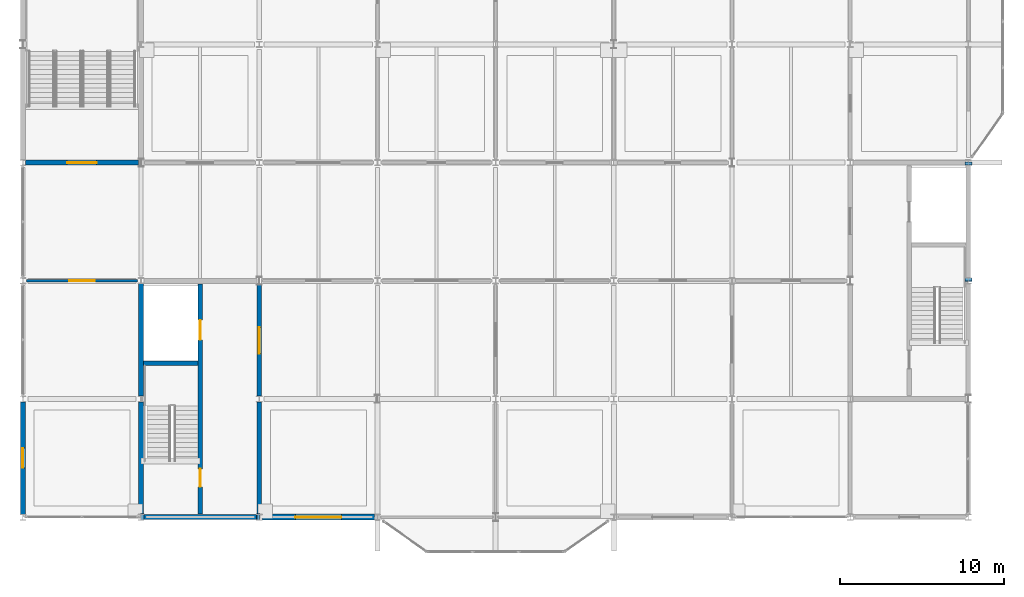
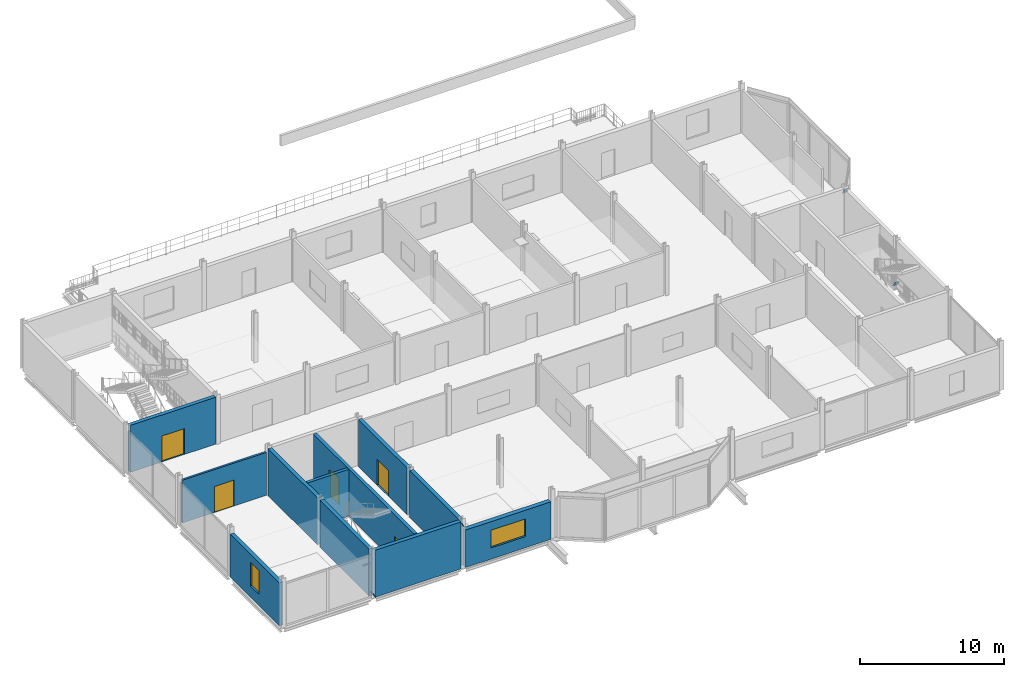
# One storey, part 18 of 26: 11 walls, 5 doors, 4 plates, 2 windows, 7 openings.
"""IFC4 building model written with IfcOpenShell, lengths in metres."""

from ifc_helpers import new_model, si_unit, direction, frame, frame_2d, origin, origin_2d, place, context, subcontext, project, spatial, rectangle, extrude, material, layer, layer_set, type_object, element, fill, save


model = new_model("IFC4")

# Units and contexts
model_context = context("Model", 3, precision=1e-05, world=origin(), true_north=direction((0.0, 1.0)))
body_context = subcontext(model_context, "Body", "Model", "MODEL_VIEW")
ifc_project = project(units=[si_unit("LENGTHUNIT", "METRE"), si_unit("AREAUNIT", "SQUARE_METRE"), si_unit("VOLUMEUNIT", "CUBIC_METRE"), si_unit("PLANEANGLEUNIT", "RADIAN"), si_unit("MASSUNIT", "GRAM", prefix="KILO")], contexts=[model_context])

# Site, building, storey
site_placement = place(None, origin())
site = spatial("IfcSite", under=ifc_project, at=site_placement, CompositionType="ELEMENT")
building_placement = place(site_placement, origin())
building = spatial("IfcBuilding", under=site, at=building_placement, Name="Vesperath Aquatics Centre", CompositionType="ELEMENT")
storey_placement = place(building_placement, frame((0.0, 0.0, 19.199951171875)))
storey = spatial("IfcBuildingStorey", under=building, at=storey_placement, Name="L04", CompositionType="ELEMENT", Elevation=19.199951171875)

# Plates
ifc_material_1 = material(Name="Steel Q355D", Category="steel")
ifc_layer_1 = layer(ifc_material_1, 0.02392578125)
ifc_layer_set_1 = layer_set([ifc_layer_1], Name="Steel Q355D")
plate_type = type_object("IfcPlateType", Name="PT-TN04", PredefinedType="SHEET", material=ifc_layer_set_1)
for number, where, z_axis, x_axis, name in (
    (1, (122.4501953125, 0.0, 0.175048828125), (0.8944271912, 0.0, 0.4472135951), (0.0, 1.0, 0.0), "Truss Node Cap Plate TN04"),
    (2, (129.5283203125, 0.0, 3.71435546875), (0.8944271912, 0.0, 0.4472135951), (0.0, 1.0, 0.0), "Truss Node Cap Plate TN04"),
    (3, (172.800048828125, 14.4501953125, 0.175048828125), (0.0, 0.8944271912, 0.4472135951), (-1.0, 0.0, 0.0), "Truss Node Cap Plate TN04"),
    (4, (172.800048828125, 21.5283203125, 3.71435546875), (0.0, 0.8944271912, 0.4472135951), (-1.0, 0.0, 0.0), "Truss Node Cap Plate TN04"),
):
    element("IfcPlate", number, at=place(storey_placement, frame(where, z_axis=z_axis, x_axis=x_axis)), inside=storey, type_object=plate_type, Name=name, PredefinedType="SHEET", context=body_context, shape_type="SweptSolid", body=[
        extrude(rectangle(XDim=0.419921875, YDim=0.419921875, at=origin_2d()), origin(), (0.0, 0.0, 1.0), 0.02392578125),
    ])

# Wall, opening, window
ifc_material_2 = material(Name="Glazed majolica and brick insulated cavity wall", Category="masonry")
ifc_layer_2 = layer(ifc_material_2, 0.360107421875)
ifc_layer_set_2 = layer_set([ifc_layer_2], Name="Glazed majolica and brick insulated cavity wall")
wall_type_1 = type_object("IfcWallType", Name="WL-EW03", PredefinedType="SOLIDWALL", material=ifc_layer_set_2)
wall_1_placement = place(storey_placement, frame((129.77490234375, 0.0, 0.0), z_axis=(0.0, 0.0, 1.0), x_axis=(1.0, 0.0, 0.0)))
wall_1 = element("IfcWall", 5, at=wall_1_placement, inside=storey, type_object=wall_type_1, Name="Exterior Wall EW03 L04_S_18_00", PredefinedType="SOLIDWALL", context=body_context, shape_type="SweptSolid", body=[
    extrude(rectangle(XDim=6.85009765625, YDim=0.360107421875, at=frame_2d((3.425048828125, 0.0))), origin(), (0.0, 0.0, 1.0), 3.179931640625),
])
opening_1_placement = place(wall_1_placement, frame((2.02490234375, 0.0, 0.949951171875)))
opening_1 = element("IfcOpeningElement", 6, at=opening_1_placement, cuts=wall_1, Name="Opening W15", PredefinedType="OPENING", context=body_context, shape_type="SweptSolid", body=[
    extrude(rectangle(XDim=2.800048828125, YDim=1.5, at=frame_2d((1.39990234375, 0.75))), frame((0.0, 0.19482421875, 0.0), z_axis=(0.0, -1.0, 0.0), x_axis=(1.0, 0.0, 0.0)), (0.0, 0.0, 1.0), 0.389892578125),
])
ifc_material_3 = material(Name="Thermally broken aluminium triple-glazed window", Category="aluminium")
window_type_1 = type_object("IfcWindowType", Name="WN-W15", PartitioningType="SINGLE_PANEL", PredefinedType="WINDOW", material=ifc_material_3)
window_1_placement = place(opening_1_placement, origin())
window_1 = element("IfcWindow", 7, at=window_1_placement, inside=storey, type_object=window_type_1, Name="Deep-Reveal Casement Window W15 L04_S_18_00", OverallHeight=1.5, OverallWidth=2.800048828125, PartitioningType="SINGLE_PANEL", PredefinedType="WINDOW", context=body_context, shape_type="SweptSolid", body=[
    extrude(rectangle(XDim=2.800048828125, YDim=1.5, at=frame_2d((1.39990234375, 0.75))), frame((0.0, 0.030029296875, 0.0), z_axis=(0.0, -1.0, 0.0), x_axis=(1.0, 0.0, 0.0)), (0.0, 0.0, 1.0), 0.06005859375),
])
fill(opening_1, window_1)

ifc_material_4 = material(Name="Terrace pavilion insulated masonry wall", Category="masonry")
ifc_layer_3 = layer(ifc_material_4, 0.31005859375)
ifc_layer_set_3 = layer_set([ifc_layer_3], Name="Terrace pavilion insulated masonry wall")
wall_type_2 = type_object("IfcWallType", Name="WL-EW05", PredefinedType="SOLIDWALL", material=ifc_layer_set_3)
wall_2_placement = place(storey_placement, frame((115.199951171875, 0.175048828125, 0.0), z_axis=(0.0, 0.0, 1.0), x_axis=(0.0, 1.0, 0.0)))
wall_2 = element("IfcWall", 8, at=wall_2_placement, inside=storey, type_object=wall_type_2, Name="Exterior Wall EW05 L04_W_16_00", PredefinedType="SOLIDWALL", context=body_context, shape_type="SweptSolid", body=[
    extrude(rectangle(XDim=6.849853515625, YDim=0.31005859375, at=frame_2d((3.4248046875, 0.0))), origin(), (0.0, 0.0, 1.0), 3.64013671875),
])
opening_2_placement = place(wall_2_placement, frame((2.824951171875, 0.0, 0.949951171875)))
opening_2 = element("IfcOpeningElement", 9, at=opening_2_placement, cuts=wall_2, Name="Opening W09", PredefinedType="OPENING", context=body_context, shape_type="SweptSolid", body=[
    extrude(rectangle(XDim=1.199951171875, YDim=2.0, at=frame_2d((0.60009765625, 1.0))), frame((0.0, 0.169921875, 0.0), z_axis=(0.0, -1.0, 0.0), x_axis=(1.0, 0.0, 0.0)), (0.0, 0.0, 1.0), 0.33984375),
])
window_type_2 = type_object("IfcWindowType", Name="WN-W09", PartitioningType="SINGLE_PANEL", PredefinedType="WINDOW", material=ifc_material_3)
window_2_placement = place(opening_2_placement, origin())
window_2 = element("IfcWindow", 10, at=window_2_placement, inside=storey, type_object=window_type_2, Name="Deep-Reveal Casement Window W09 L04_W_16_00", OverallHeight=2.0, OverallWidth=1.199951171875, PartitioningType="SINGLE_PANEL", PredefinedType="WINDOW", context=body_context, shape_type="SweptSolid", body=[
    extrude(rectangle(XDim=1.199951171875, YDim=2.0, at=frame_2d((0.60009765625, 1.0))), frame((0.0, 0.030029296875, 0.0), z_axis=(0.0, -1.0, 0.0), x_axis=(1.0, 0.0, 0.0)), (0.0, 0.0, 1.0), 0.06005859375),
])
fill(opening_2, window_2)

# Wall, opening, door
ifc_material_5 = material(Name="Clinic acoustic partition", Category="gypsum")
ifc_layer_4 = layer(ifc_material_5, 0.159912109375)
ifc_layer_set_4 = layer_set([ifc_layer_4], Name="Clinic acoustic partition")
wall_type_3 = type_object("IfcWallType", Name="WL-IW04", PredefinedType="PARTITIONING", material=ifc_layer_set_4)
wall_3_placement = place(storey_placement, frame((115.425048828125, 14.39990234375, 0.0), z_axis=(0.0, 0.0, 1.0), x_axis=(1.0, 0.0, 0.0)))
wall_3 = element("IfcWall", 11, at=wall_3_placement, inside=storey, type_object=wall_type_3, Name="Interior Partition IW04 L04_SPA_REC-N1", PredefinedType="PARTITIONING", context=body_context, shape_type="SweptSolid", body=[
    extrude(rectangle(XDim=6.75, YDim=0.159912109375, at=frame_2d((3.375, 0.0))), origin(), (0.0, 0.0, 1.0), 3.64013671875),
])
opening_3_placement = place(wall_3_placement, frame((2.60009765625, 0.0, 0.0)))
opening_3 = element("IfcOpeningElement", 12, at=opening_3_placement, cuts=wall_3, Name="Opening D17", PredefinedType="OPENING", context=body_context, shape_type="SweptSolid", body=[
    extrude(rectangle(XDim=1.550048828125, YDim=2.199951171875, at=frame_2d((0.77490234375, 1.10009765625))), frame((0.0, 0.0947265625, 0.0), z_axis=(0.0, -1.0, 0.0), x_axis=(1.0, 0.0, 0.0)), (0.0, 0.0, 1.0), 0.189697265625),
])
ifc_material_6 = material(Name="Cafe dining glazed double door", Category="aluminium")
door_type_1 = type_object("IfcDoorType", Name="DR-RM09", OperationType="DOUBLE_SWING_LEFT", PredefinedType="DOOR", material=ifc_material_6)
door_1_placement = place(opening_3_placement, frame((1.550048828125, 0.0, 0.0), z_axis=(0.0, 0.0, 1.0), x_axis=(-1.0, 0.0, 0.0)))
door_1 = element("IfcDoor", 13, at=door_1_placement, inside=storey, type_object=door_type_1, Name="Hydro-Recovery Spa Lounge Door D17", OperationType="DOUBLE_SWING_LEFT", OverallHeight=2.199951171875, OverallWidth=1.550048828125, PredefinedType="DOOR", context=body_context, shape_type="SweptSolid", body=[
    extrude(rectangle(XDim=1.550048828125, YDim=2.199951171875, at=frame_2d((0.77490234375, 1.10009765625))), frame((0.0, 0.02490234375, 0.0), z_axis=(0.0, -1.0, 0.0), x_axis=(1.0, 0.0, 0.0)), (0.0, 0.0, 1.0), 0.050048828125),
])
fill(opening_3, door_1)

# Walls
ifc_material_7 = material(Name="Concrete C40", Category="concrete")
ifc_layer_5 = layer(ifc_material_7, 0.300048828125)
ifc_layer_set_5 = layer_set([ifc_layer_5], Name="Concrete C40")
wall_type_4 = type_object("IfcWallType", Name="WL-SW01", PredefinedType="SHEAR", material=ifc_layer_set_5)
wall_4_placement = place(storey_placement, frame((122.39990234375, 0.175048828125, 0.0), z_axis=(0.0, 0.0, 1.0), x_axis=(0.0, 1.0, 0.0)))
element("IfcWall", 14, at=wall_4_placement, inside=storey, type_object=wall_type_4, Name="Core C5 West-1 Shear Wall SW01 L04", PredefinedType="SHEAR", context=body_context, shape_type="SweptSolid", body=[
    extrude(rectangle(XDim=6.849853515625, YDim=0.300048828125, at=frame_2d((3.4248046875, 0.0))), origin(), (0.0, 0.0, 1.0), 3.97998046875),
])
wall_5_placement = place(storey_placement, frame((122.39990234375, 7.375, 0.0), z_axis=(0.0, 0.0, 1.0), x_axis=(0.0, 1.0, 0.0)))
element("IfcWall", 15, at=wall_5_placement, inside=storey, type_object=wall_type_4, Name="Core C5 West-2 Shear Wall SW01 L04", PredefinedType="SHEAR", context=body_context, shape_type="SweptSolid", body=[
    extrude(rectangle(XDim=6.85009765625, YDim=0.300048828125, at=frame_2d((3.425048828125, 0.0))), origin(), (0.0, 0.0, 1.0), 3.97998046875),
])
wall_6_placement = place(storey_placement, frame((129.60009765625, 0.175048828125, 0.0), z_axis=(0.0, 0.0, 1.0), x_axis=(0.0, 1.0, 0.0)))
element("IfcWall", 16, at=wall_6_placement, inside=storey, type_object=wall_type_4, Name="Core C5 East-1 Shear Wall SW01 L04", PredefinedType="SHEAR", context=body_context, shape_type="SweptSolid", body=[
    extrude(rectangle(XDim=6.849853515625, YDim=0.300048828125, at=frame_2d((3.4248046875, 0.0))), origin(), (0.0, 0.0, 1.0), 3.97998046875),
])

# Wall, opening, door
wall_7_placement = place(storey_placement, frame((129.60009765625, 7.375, 0.0), z_axis=(0.0, 0.0, 1.0), x_axis=(0.0, 1.0, 0.0)))
wall_7 = element("IfcWall", 17, at=wall_7_placement, inside=storey, type_object=wall_type_4, Name="Core C5 East-2 Shear Wall SW01 L04", PredefinedType="SHEAR", context=body_context, shape_type="SweptSolid", body=[
    extrude(rectangle(XDim=6.781005859375, YDim=0.300048828125, at=frame_2d((3.390625, 0.0))), origin(), (0.0, 0.0, 1.0), 3.97998046875),
])
opening_4_placement = place(wall_7_placement, frame((2.591064453125, 0.0, 0.0)))
opening_4 = element("IfcOpeningElement", 18, at=opening_4_placement, cuts=wall_7, Name="Opening D02", PredefinedType="OPENING", context=body_context, shape_type="SweptSolid", body=[
    extrude(rectangle(XDim=1.60009765625, YDim=2.199951171875, at=frame_2d((0.800048828125, 1.10009765625))), frame((0.0, 0.1650390625, 0.0), z_axis=(0.0, -1.0, 0.0), x_axis=(1.0, 0.0, 0.0)), (0.0, 0.0, 1.0), 0.329833984375),
])
ifc_material_8 = material(Name="Glazed fire-rated lobby double door", Category="steel")
door_type_2 = type_object("IfcDoorType", Name="DR-FD02", OperationType="DOUBLE_SWING_LEFT", PredefinedType="DOOR", material=ifc_material_8)
door_2_placement = place(opening_4_placement, frame((1.60009765625, 0.0, 0.0), z_axis=(0.0, 0.0, 1.0), x_axis=(-1.0, 0.0, 0.0)))
door_2 = element("IfcDoor", 19, at=door_2_placement, inside=storey, type_object=door_type_2, Name="Core C5 Lobby Fire Door D02 L04", OperationType="DOUBLE_SWING_LEFT", OverallHeight=2.199951171875, OverallWidth=1.60009765625, PredefinedType="DOOR", context=body_context, shape_type="SweptSolid", body=[
    extrude(rectangle(XDim=1.60009765625, YDim=2.199951171875, at=frame_2d((0.800048828125, 1.10009765625))), frame((0.0, 0.02490234375, 0.0), z_axis=(0.0, -1.0, 0.0), x_axis=(1.0, 0.0, 0.0)), (0.0, 0.0, 1.0), 0.050048828125),
])
fill(opening_4, door_2)

wall_8_placement = place(storey_placement, frame((115.375, 21.60009765625, 0.0), z_axis=(0.0, 0.0, 1.0), x_axis=(1.0, 0.0, 0.0)))
wall_8 = element("IfcWall", 20, at=wall_8_placement, inside=storey, type_object=wall_type_4, Name="Core C7 South Shear Wall SW01 L04", PredefinedType="SHEAR", context=body_context, shape_type="SweptSolid", body=[
    extrude(rectangle(XDim=6.875, YDim=0.300048828125, at=frame_2d((3.4375, 0.0))), origin(), (0.0, 0.0, 1.0), 3.97998046875),
])
opening_5_placement = place(wall_8_placement, frame((2.52490234375, 0.0, 0.0)))
opening_5 = element("IfcOpeningElement", 21, at=opening_5_placement, cuts=wall_8, Name="Opening D03", PredefinedType="OPENING", context=body_context, shape_type="SweptSolid", body=[
    extrude(rectangle(XDim=1.800048828125, YDim=2.199951171875, at=frame_2d((0.89990234375, 1.10009765625))), frame((0.0, 0.1650390625, 0.0), z_axis=(0.0, -1.0, 0.0), x_axis=(1.0, 0.0, 0.0)), (0.0, 0.0, 1.0), 0.329833984375),
])
ifc_material_9 = material(Name="Corridor smoke-control double fire door", Category="steel")
door_type_3 = type_object("IfcDoorType", Name="DR-FD03", OperationType="DOUBLE_SWING_LEFT", PredefinedType="DOOR", material=ifc_material_9)
door_3_placement = place(opening_5_placement, origin())
door_3 = element("IfcDoor", 22, at=door_3_placement, inside=storey, type_object=door_type_3, Name="Stair ST7 Fire Door D03 L04", OperationType="DOUBLE_SWING_LEFT", OverallHeight=2.199951171875, OverallWidth=1.800048828125, PredefinedType="DOOR", context=body_context, shape_type="SweptSolid", body=[
    extrude(rectangle(XDim=1.800048828125, YDim=2.199951171875, at=frame_2d((0.89990234375, 1.10009765625))), frame((0.0, 0.02490234375, 0.0), z_axis=(0.0, -1.0, 0.0), x_axis=(1.0, 0.0, 0.0)), (0.0, 0.0, 1.0), 0.050048828125),
])
fill(opening_5, door_3)

# Wall, openings, doors
ifc_layer_6 = layer(ifc_material_7, 0.260009765625)
ifc_layer_set_6 = layer_set([ifc_layer_6], Name="Concrete C40")
wall_type_5 = type_object("IfcWallType", Name="WL-SW03", PredefinedType="SHEAR", material=ifc_layer_set_6)
wall_9_placement = place(storey_placement, frame((126.0, 0.199951171875, 0.0), z_axis=(0.0, 0.0, 1.0), x_axis=(0.0, 1.0, 0.0)))
wall_9 = element("IfcWall", 23, at=wall_9_placement, inside=storey, type_object=wall_type_5, Name="Core C5 Spine Shear Wall SW03 L04", PredefinedType="SHEAR", context=body_context, shape_type="SweptSolid", body=[
    extrude(rectangle(XDim=14.0, YDim=0.260009765625, at=frame_2d((7.0, 0.0))), origin(), (0.0, 0.0, 1.0), 3.97998046875),
])
opening_6_placement = place(wall_9_placement, frame((1.64990234375, 0.0, 0.0)))
opening_6 = element("IfcOpeningElement", 24, at=opening_6_placement, cuts=wall_9, Name="Opening D01", PredefinedType="OPENING", context=body_context, shape_type="SweptSolid", body=[
    extrude(rectangle(XDim=1.10009765625, YDim=2.14990234375, at=frame_2d((0.550048828125, 1.074951171875))), frame((0.0, 0.14501953125, 0.0), z_axis=(0.0, -1.0, 0.0), x_axis=(1.0, 0.0, 0.0)), (0.0, 0.0, 1.0), 0.289794921875),
])
opening_7_placement = place(wall_9_placement, frame((10.60009765625, 0.0, 0.0)))
opening_7 = element("IfcOpeningElement", 25, at=opening_7_placement, cuts=wall_9, Name="Opening LD03", PredefinedType="OPENING", context=body_context, shape_type="SweptSolid", body=[
    extrude(rectangle(XDim=1.199951171875, YDim=2.25, at=frame_2d((0.60009765625, 1.125))), frame((0.0, 0.14501953125, 0.0), z_axis=(0.0, -1.0, 0.0), x_axis=(1.0, 0.0, 0.0)), (0.0, 0.0, 1.0), 0.289794921875),
])
ifc_material_10 = material(Name="Steel-faced acoustic fire door", Category="steel")
door_type_4 = type_object("IfcDoorType", Name="DR-FD01", OperationType="NOTDEFINED", PredefinedType="DOOR", material=ifc_material_10)
door_4_placement = place(opening_6_placement, origin())
door_4 = element("IfcDoor", 26, at=door_4_placement, inside=storey, type_object=door_type_4, Name="Stair ST5 Fire Door D01 L04", OperationType="SINGLE_SWING_LEFT", OverallHeight=2.14990234375, OverallWidth=1.10009765625, PredefinedType="DOOR", context=body_context, shape_type="SweptSolid", body=[
    extrude(rectangle(XDim=1.10009765625, YDim=2.14990234375, at=frame_2d((0.550048828125, 1.074951171875))), frame((0.0, 0.02490234375, 0.0), z_axis=(0.0, -1.0, 0.0), x_axis=(1.0, 0.0, 0.0)), (0.0, 0.0, 1.0), 0.050048828125),
])
fill(opening_6, door_4)
ifc_material_11 = material(Name="Firefighting stainless lift landing door", Category="steel")
door_type_5 = type_object("IfcDoorType", Name="DR-LD03", OperationType="SLIDING_TO_LEFT", PredefinedType="DOOR", material=ifc_material_11)
door_5_placement = place(opening_7_placement, frame((1.199951171875, 0.0, 0.0), z_axis=(0.0, 0.0, 1.0), x_axis=(-1.0, 0.0, 0.0)))
door_5 = element("IfcDoor", 27, at=door_5_placement, inside=storey, type_object=door_type_5, Name="Lift LFT-FF1 Sliding Landing Door LD03 L04", OperationType="SLIDING_TO_LEFT", OverallHeight=2.25, OverallWidth=1.199951171875, PredefinedType="DOOR", context=body_context, shape_type="SweptSolid", body=[
    extrude(rectangle(XDim=1.199951171875, YDim=2.25, at=frame_2d((0.60009765625, 1.125))), frame((0.0, 0.02490234375, 0.0), z_axis=(0.0, -1.0, 0.0), x_axis=(1.0, 0.0, 0.0)), (0.0, 0.0, 1.0), 0.050048828125),
])
fill(opening_7, door_5)

# Walls
ifc_layer_7 = layer(ifc_material_7, 0.25)
ifc_layer_set_7 = layer_set([ifc_layer_7], Name="Concrete C40")
wall_type_6 = type_object("IfcWallType", Name="WL-SW04", PredefinedType="SHEAR", material=ifc_layer_set_7)
wall_10_placement = place(storey_placement, frame((122.56005859375, 9.3798828125, 0.0), z_axis=(0.0, 0.0, 1.0), x_axis=(1.0, 0.0, 0.0)))
element("IfcWall", 28, at=wall_10_placement, inside=storey, type_object=wall_type_6, Name="Core C5 Lift Shaft Wall SW04 L04", PredefinedType="SHEAR", context=body_context, shape_type="SweptSolid", body=[
    extrude(rectangle(XDim=3.300048828125, YDim=0.25, at=frame_2d((1.64990234375, 0.0))), origin(), (0.0, 0.0, 1.0), 3.97998046875),
])
ifc_layer_8 = layer(ifc_material_7, 0.31005859375)
ifc_layer_set_8 = layer_set([ifc_layer_8], Name="Concrete C40")
wall_type_7 = type_object("IfcWallType", Name="WL-SW05", PredefinedType="SHEAR", material=ifc_layer_set_8)
wall_11_placement = place(storey_placement, frame((122.574951171875, 0.0, 0.0), z_axis=(0.0, 0.0, 1.0), x_axis=(1.0, 0.0, 0.0)))
element("IfcWall", 29, at=wall_11_placement, inside=storey, type_object=wall_type_7, Name="Core C5 South Shear Wall SW05 L04", PredefinedType="SHEAR", context=body_context, shape_type="SweptSolid", body=[
    extrude(rectangle(XDim=6.85009765625, YDim=0.31005859375, at=frame_2d((3.425048828125, 0.0))), origin(), (0.0, 0.0, 1.0), 3.97998046875),
])

save(model, "model.ifc")
